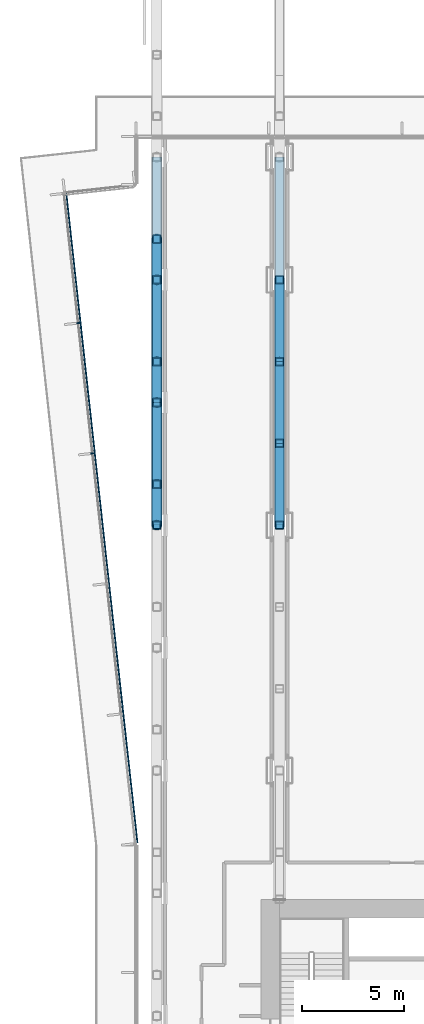
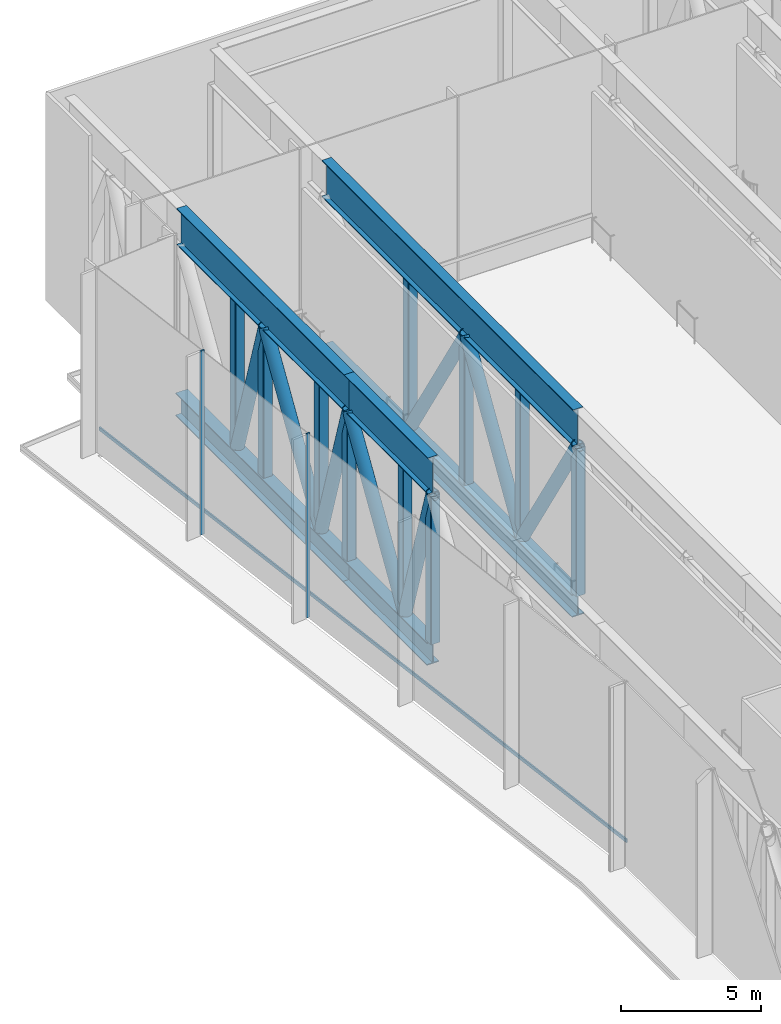
# One storey, part 8 of 25: 27 members, 1 element without a shape of its own.
"""IFC4 building model written with IfcOpenShell, lengths in metres."""

from ifc_helpers import new_model, si_unit, direction, frame, origin, origin_2d, place, context, subcontext, project, spatial, rectangle, hollow_rectangle, hollow_circle, i_section, extrude, material, layer, layer_set, material_profile, profile_set, type_object, element, aggregate, save


model = new_model("IFC4")

# Units and contexts
model_context = context("Model", 3, precision=1e-05, world=origin(), true_north=direction((0.0, 1.0)))
body_context = subcontext(model_context, "Body", "Model", "MODEL_VIEW")
ifc_project = project(units=[si_unit("LENGTHUNIT", "METRE"), si_unit("AREAUNIT", "SQUARE_METRE"), si_unit("VOLUMEUNIT", "CUBIC_METRE"), si_unit("PLANEANGLEUNIT", "RADIAN"), si_unit("MASSUNIT", "GRAM", prefix="KILO")], contexts=[model_context])

# Site, building, storey
site_placement = place(None, origin())
site = spatial("IfcSite", under=ifc_project, at=site_placement, CompositionType="ELEMENT")
building_placement = place(site_placement, origin())
building = spatial("IfcBuilding", under=site, at=building_placement, Name="Welwitschia Terrace Campus", CompositionType="ELEMENT")
storey_placement = place(building_placement, frame((0.0, 0.0, 79.39990234375)))
storey = spatial("IfcBuildingStorey", under=building, at=storey_placement, Name="L18", CompositionType="ELEMENT", Elevation=79.39990234375)

# Curtain wall, members
ifc_material_1 = material(Name="Bronze anodised aluminium", Category="aluminium")
ifc_layer = layer(ifc_material_1, 0.159912109375)
ifc_layer_set = layer_set([ifc_layer], Name="Bronze anodised aluminium")
curtain_wall_type = type_object("IfcCurtainWallType", Name="Curtain wall CW3 commons 6000", PredefinedType="NOTDEFINED", material=ifc_layer_set)
curtain_wall_placement = place(storey_placement, origin())
curtain_wall = element("IfcCurtainWall", 1, at=curtain_wall_placement, inside=storey, type_object=curtain_wall_type, Name="CW L18.3.0", PredefinedType="NOTDEFINED")
ifc_material_2 = material(Name="Bronze anodised aluminium", Category="aluminium")
ifc_material_profile_1 = material_profile(ifc_material_2, rectangle(XDim=0.159912109375, YDim=0.06005859375, at=origin_2d()))
ifc_profile_set_1 = profile_set([ifc_material_profile_1], Name="Bronze anodised aluminium")
member_type_1 = type_object("IfcMemberType", Name="Mullion 60x160", PredefinedType="MULLION", material=ifc_profile_set_1)
member_1_placement = place(storey_placement, frame((-3.841552734375, 53.88525390625, 0.0), z_axis=(0.0, 0.0, 1.0), x_axis=(0.994056338222, 0.108866874852, 0.0)))
member_1 = element("IfcMember", 2, at=member_1_placement, type_object=member_type_1, Name="Mullion L18.3.0.1", PredefinedType="MULLION", context=body_context, shape_type="SweptSolid", body=[
    extrude(rectangle(XDim=0.159912109375, YDim=0.06005859375, at=origin_2d()), origin(), (0.0, 0.0, 1.0), 8.050048828125),
])
member_2_placement = place(storey_placement, frame((-3.1435546875, 47.512939453125, 0.0), z_axis=(0.0, 0.0, 1.0), x_axis=(0.994056338222, 0.108866874852, 0.0)))
member_2 = element("IfcMember", 3, at=member_2_placement, type_object=member_type_1, Name="Mullion L18.3.0.2", PredefinedType="MULLION", context=body_context, shape_type="SweptSolid", body=[
    extrude(rectangle(XDim=0.159912109375, YDim=0.06005859375, at=origin_2d()), origin(), (0.0, 0.0, 1.0), 8.050048828125),
])

# Members
ifc_material_3 = material(Name="Steel S355", Category="steel")
ifc_material_profile_2 = material_profile(ifc_material_3, i_section(OverallWidth=0.5, OverallDepth=1.0, WebThickness=0.030029296875, FlangeThickness=0.0400390625, at=origin_2d()))
ifc_profile_set_2 = profile_set([ifc_material_profile_2], Name="Steel S355")
member_type_2 = type_object("IfcMemberType", Name="Transfer truss C1 bottom chord WI 1000x500x30x40", PredefinedType="CHORD", material=ifc_profile_set_2)
member_3_placement = place(storey_placement, frame((0.0, 44.0, -0.5), z_axis=(0.0, 1.0, 0.0), x_axis=(-1.0, 0.0, 0.0)))
element("IfcMember", 4, at=member_3_placement, inside=storey, type_object=member_type_2, Name="Truss bottom chord", PredefinedType="CHORD", context=body_context, shape_type="SweptSolid", body=[
    extrude(i_section(OverallWidth=0.5, OverallDepth=1.0, WebThickness=0.030029296875, FlangeThickness=0.0400390625, at=origin_2d()), origin(), (0.0, 0.0, 1.0), 6.0),
])
member_4_placement = place(storey_placement, frame((0.0, 50.0, -0.5), z_axis=(0.0, 1.0, 0.0), x_axis=(-1.0, 0.0, 0.0)))
element("IfcMember", 5, at=member_4_placement, inside=storey, type_object=member_type_2, Name="Truss bottom chord", PredefinedType="CHORD", context=body_context, shape_type="SweptSolid", body=[
    extrude(i_section(OverallWidth=0.5, OverallDepth=1.0, WebThickness=0.030029296875, FlangeThickness=0.0400390625, at=origin_2d()), origin(), (0.0, 0.0, 1.0), 12.0),
])
member_5_placement = place(storey_placement, frame((6.0, 44.0, -0.5), z_axis=(0.0, 1.0, 0.0), x_axis=(-1.0, 0.0, 0.0)))
element("IfcMember", 6, at=member_5_placement, inside=storey, type_object=member_type_2, Name="Truss bottom chord", PredefinedType="CHORD", context=body_context, shape_type="SweptSolid", body=[
    extrude(i_section(OverallWidth=0.5, OverallDepth=1.0, WebThickness=0.030029296875, FlangeThickness=0.0400390625, at=origin_2d()), origin(), (0.0, 0.0, 1.0), 18.0),
])
ifc_material_4 = material(Name="Steel S355", Category="steel")
ifc_material_profile_3 = material_profile(ifc_material_4, hollow_circle(Radius=0.25390625, WallThickness=0.02490234375, at=origin_2d()))
ifc_profile_set_3 = profile_set([ifc_material_profile_3], Name="Steel S355")
member_type_3 = type_object("IfcMemberType", Name="Transfer truss C1 diagonal CHS 508x25", PredefinedType="BRACE", material=ifc_profile_set_3)
member_6_placement = place(storey_placement, frame((0.0, 46.0, 0.0), z_axis=(0.0, -0.296158139039, 0.955138920095), x_axis=(1.0, 0.0, 0.0)))
element("IfcMember", 7, at=member_6_placement, inside=storey, type_object=member_type_3, Name="Truss diagonal", PredefinedType="BRACE", context=body_context, shape_type="SweptSolid", body=[
    extrude(hollow_circle(Radius=0.25390625, WallThickness=0.02490234375, at=origin_2d()), origin(), (0.0, 0.0, 1.0), 6.753173828125),
])
member_7_placement = place(storey_placement, frame((0.0, 46.0, 0.0), z_axis=(0.0, 0.527023313392, 0.849850826405), x_axis=(-1.0, 0.0, 0.0)))
element("IfcMember", 8, at=member_7_placement, inside=storey, type_object=member_type_3, Name="Truss diagonal", PredefinedType="BRACE", context=body_context, shape_type="SweptSolid", body=[
    extrude(hollow_circle(Radius=0.25390625, WallThickness=0.02490234375, at=origin_2d()), origin(), (0.0, 0.0, 1.0), 7.58984375),
])
member_8_placement = place(storey_placement, frame((0.0, 52.0, 0.0), z_axis=(0.0, -0.296158139039, 0.955138920095), x_axis=(1.0, 0.0, 0.0)))
element("IfcMember", 9, at=member_8_placement, inside=storey, type_object=member_type_3, Name="Truss diagonal", PredefinedType="BRACE", context=body_context, shape_type="SweptSolid", body=[
    extrude(hollow_circle(Radius=0.25390625, WallThickness=0.02490234375, at=origin_2d()), origin(), (0.0, 0.0, 1.0), 6.753173828125),
])
member_9_placement = place(storey_placement, frame((0.0, 52.0, 0.0), z_axis=(0.0, 0.527023313392, 0.849850826405), x_axis=(-1.0, 0.0, 0.0)))
element("IfcMember", 10, at=member_9_placement, inside=storey, type_object=member_type_3, Name="Truss diagonal", PredefinedType="BRACE", context=body_context, shape_type="SweptSolid", body=[
    extrude(hollow_circle(Radius=0.25390625, WallThickness=0.02490234375, at=origin_2d()), origin(), (0.0, 0.0, 1.0), 7.58984375),
])
member_10_placement = place(storey_placement, frame((0.0, 58.0, 0.0), z_axis=(0.0, -0.296158139039, 0.955138920095), x_axis=(1.0, 0.0, 0.0)))
element("IfcMember", 11, at=member_10_placement, inside=storey, type_object=member_type_3, Name="Truss diagonal", PredefinedType="BRACE", context=body_context, shape_type="SweptSolid", body=[
    extrude(hollow_circle(Radius=0.25390625, WallThickness=0.02490234375, at=origin_2d()), origin(), (0.0, 0.0, 1.0), 6.753173828125),
])
for number, where, z_axis, x_axis, name in (
    (12, (6.0, 48.0, 0.0), (0.0, -0.527023313392, 0.849850826405), (1.0, 0.0, 0.0), "Truss diagonal"),
    (13, (6.0, 48.0, 0.0), (0.0, 0.527023313392, 0.849850826405), (-1.0, 0.0, 0.0), "Truss diagonal"),
    (14, (6.0, 56.0, 0.0), (0.0, -0.527023313392, 0.849850826405), (1.0, 0.0, 0.0), "Truss diagonal"),
):
    element("IfcMember", number, at=place(storey_placement, frame(where, z_axis=z_axis, x_axis=x_axis)), inside=storey, type_object=member_type_3, Name=name, PredefinedType="BRACE", context=body_context, shape_type="SweptSolid", body=[
        extrude(hollow_circle(Radius=0.25390625, WallThickness=0.02490234375, at=origin_2d()), origin(), (0.0, 0.0, 1.0), 7.58984375),
    ])
ifc_material_5 = material(Name="Steel S355", Category="steel")
ifc_material_profile_4 = material_profile(ifc_material_5, hollow_rectangle(XDim=0.39990234375, YDim=0.39990234375, WallThickness=0.02490234375, InnerFilletRadius=0.02490234375, OuterFilletRadius=0.03759765625, at=origin_2d()))
ifc_profile_set_4 = profile_set([ifc_material_profile_4], Name="Steel S355")
member_type_4 = type_object("IfcMemberType", Name="Transfer truss C1 post SHS 400x400x25", PredefinedType="POST", material=ifc_profile_set_4)
for number, where, z_axis, x_axis, name in (
    (15, (0.0, 44.0, 0.0), (0.0, 0.0, 1.0), (1.0, 0.0, 0.0), "Truss post"),
    (16, (0.0, 46.0, 0.0), (0.0, 0.0, 1.0), (1.0, 0.0, 0.0), "Truss post"),
    (17, (0.0, 50.0, 0.0), (0.0, 0.0, 1.0), (1.0, 0.0, 0.0), "Truss post"),
    (18, (0.0, 52.0, 0.0), (0.0, 0.0, 1.0), (1.0, 0.0, 0.0), "Truss post"),
    (19, (0.0, 56.0, 0.0), (0.0, 0.0, 1.0), (1.0, 0.0, 0.0), "Truss post"),
    (20, (0.0, 58.0, 0.0), (0.0, 0.0, 1.0), (1.0, 0.0, 0.0), "Truss post"),
    (21, (6.0, 44.0, 0.0), (0.0, 0.0, 1.0), (1.0, 0.0, 0.0), "Truss post"),
    (22, (6.0, 48.0, 0.0), (0.0, 0.0, 1.0), (1.0, 0.0, 0.0), "Truss post"),
    (23, (6.0, 52.0, 0.0), (0.0, 0.0, 1.0), (1.0, 0.0, 0.0), "Truss post"),
    (24, (6.0, 56.0, 0.0), (0.0, 0.0, 1.0), (1.0, 0.0, 0.0), "Truss post"),
):
    element("IfcMember", number, at=place(storey_placement, frame(where, z_axis=z_axis, x_axis=x_axis)), inside=storey, type_object=member_type_4, Name=name, PredefinedType="POST", context=body_context, shape_type="SweptSolid", body=[
        extrude(hollow_rectangle(XDim=0.39990234375, YDim=0.39990234375, WallThickness=0.02490234375, InnerFilletRadius=0.02490234375, OuterFilletRadius=0.03759765625, at=origin_2d()), origin(), (0.0, 0.0, 1.0), 6.4501953125),
    ])
ifc_material_6 = material(Name="Steel S355", Category="steel")
ifc_material_profile_5 = material_profile(ifc_material_6, i_section(OverallWidth=0.39990234375, OverallDepth=1.60009765625, WebThickness=0.030029296875, FlangeThickness=0.0400390625, at=origin_2d()))
ifc_profile_set_5 = profile_set([ifc_material_profile_5], Name="Steel S355")
member_type_5 = type_object("IfcMemberType", Name="Transfer truss C1 top chord WI 1600x400x30x40", PredefinedType="CHORD", material=ifc_profile_set_5)
member_11_placement = place(storey_placement, frame((0.0, 44.0, 7.25), z_axis=(0.0, 1.0, 0.0), x_axis=(-1.0, 0.0, 0.0)))
element("IfcMember", 25, at=member_11_placement, inside=storey, type_object=member_type_5, Name="Truss top chord", PredefinedType="CHORD", context=body_context, shape_type="SweptSolid", body=[
    extrude(i_section(OverallWidth=0.39990234375, OverallDepth=1.60009765625, WebThickness=0.030029296875, FlangeThickness=0.0400390625, at=origin_2d()), origin(), (0.0, 0.0, 1.0), 6.0),
])
member_12_placement = place(storey_placement, frame((0.0, 50.0, 7.25), z_axis=(0.0, 1.0, 0.0), x_axis=(-1.0, 0.0, 0.0)))
element("IfcMember", 26, at=member_12_placement, inside=storey, type_object=member_type_5, Name="Truss top chord", PredefinedType="CHORD", context=body_context, shape_type="SweptSolid", body=[
    extrude(i_section(OverallWidth=0.39990234375, OverallDepth=1.60009765625, WebThickness=0.030029296875, FlangeThickness=0.0400390625, at=origin_2d()), origin(), (0.0, 0.0, 1.0), 12.0),
])
member_13_placement = place(storey_placement, frame((6.0, 44.0, 7.25), z_axis=(0.0, 1.0, 0.0), x_axis=(-1.0, 0.0, 0.0)))
element("IfcMember", 27, at=member_13_placement, inside=storey, type_object=member_type_5, Name="Truss top chord", PredefinedType="CHORD", context=body_context, shape_type="SweptSolid", body=[
    extrude(i_section(OverallWidth=0.39990234375, OverallDepth=1.60009765625, WebThickness=0.030029296875, FlangeThickness=0.0400390625, at=origin_2d()), origin(), (0.0, 0.0, 1.0), 18.0),
])

# Member
ifc_material_7 = material(Name="Bronze anodised aluminium", Category="aluminium")
ifc_material_profile_6 = material_profile(ifc_material_7, rectangle(XDim=0.06005859375, YDim=0.14990234375, at=origin_2d()))
ifc_profile_set_6 = profile_set([ifc_material_profile_6], Name="Bronze anodised aluminium")
member_type_6 = type_object("IfcMemberType", Name="Transom 60x150", PredefinedType="USERDEFINED", material=ifc_profile_set_6)
member_14_placement = place(storey_placement, frame((-4.423583984375, 60.2099609375, 1.0), z_axis=(0.108866362592, -0.994056394324, 0.0), x_axis=(0.994056394324, 0.108866362592, 0.0)))
member_14 = element("IfcMember", 28, at=member_14_placement, type_object=member_type_6, Name="Transom L18.3.0", ObjectType="TRANSOM", PredefinedType="USERDEFINED", context=body_context, shape_type="SweptSolid", body=[
    extrude(rectangle(XDim=0.06005859375, YDim=0.14990234375, at=origin_2d()), origin(), (0.0, 0.0, 1.0), 31.931884765625),
])

aggregate(curtain_wall, [member_1, member_2, member_14])

save(model, "model.ifc")
